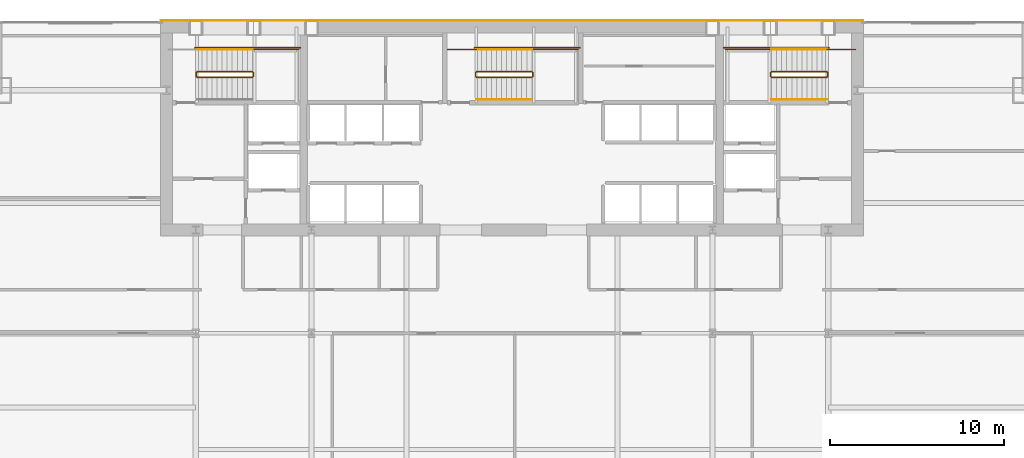
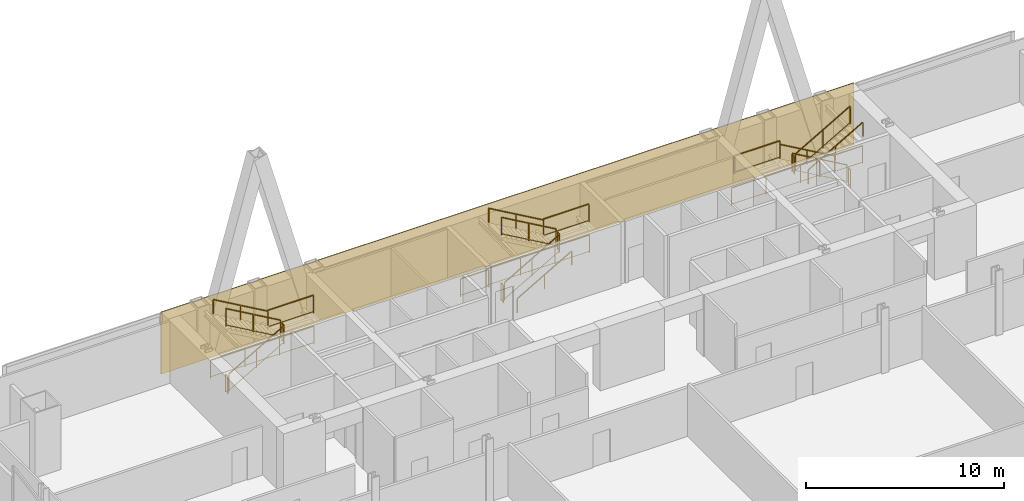
# One storey, part 32 of 32: 25 railings, 1 covering.
"""IFC4 building model written with IfcOpenShell, lengths in metres."""

from ifc_helpers import new_model, si_unit, direction, frame, origin, origin_2d, place, context, subcontext, project, spatial, polyline, rectangle, outline, extrude, material, layer, layer_set, type_object, element, save


model = new_model("IFC4")

# Units and contexts
model_context = context("Model", 3, precision=1e-05, world=origin(), true_north=direction((0.0, 1.0)))
body_context = subcontext(model_context, "Body", "Model", "MODEL_VIEW")
ifc_project = project(units=[si_unit("LENGTHUNIT", "METRE"), si_unit("AREAUNIT", "SQUARE_METRE"), si_unit("VOLUMEUNIT", "CUBIC_METRE"), si_unit("PLANEANGLEUNIT", "RADIAN"), si_unit("MASSUNIT", "GRAM", prefix="KILO")], contexts=[model_context])

# Site, building, storey
site_placement = place(None, origin())
site = spatial("IfcSite", under=ifc_project, at=site_placement, CompositionType="ELEMENT")
building_placement = place(site_placement, origin())
building = spatial("IfcBuilding", under=site, at=building_placement, Name="Khoronbel Lancet Exchange", CompositionType="ELEMENT")
storey_placement = place(building_placement, frame((0.0, 0.0, 94.60009765625)))
storey = spatial("IfcBuildingStorey", under=building, at=storey_placement, Name="L22", CompositionType="ELEMENT", Elevation=94.60009765625)

# Covering
ifc_material_1 = material(Name="Honed Egyptian Limestone & Bronze Rainscreen", Category="masonry")
ifc_layer = layer(ifc_material_1, 0.050048828125, Name="Honed Egyptian Limestone & Bronze Rainscreen")
ifc_layer_set = layer_set([ifc_layer], Name="Honed Egyptian Limestone & Bronze Rainscreen")
covering_type = type_object("IfcCoveringType", Name="COV-CLAD1", PredefinedType="CLADDING", material=ifc_layer_set)
covering_placement = place(storey_placement, origin())
element("IfcCovering", 1, at=covering_placement, inside=storey, type_object=covering_type, Name="Level L22 north rear-core stone and bronze rainscreen cladding", PredefinedType="CLADDING", context=body_context, shape_type="SweptSolid", body=[
    extrude(outline(polyline([(16.199951171875, 53.699951171875), (56.699951171875, 53.699951171875), (56.699951171875, 53.75), (16.199951171875, 53.75), (16.199951171875, 53.699951171875)])), origin(), (0.0, 0.0, 1.0), 3.81982421875),
])

# Railings
ifc_material_2 = material(Name="Painted Steel Balustrade", Category="steel")
railing_type_1 = type_object("IfcRailingType", Name="RL-STG110", PredefinedType="GUARDRAIL", material=ifc_material_2)
railing_1_placement = place(storey_placement, frame((18.300048828125, 50.449951171875, 0.16650390625)))
element("IfcRailing", 2, at=railing_1_placement, inside=storey, type_object=railing_type_1, Name="L22 ST1 stair guard 1", PredefinedType="GUARDRAIL", context=body_context, shape_type="SweptSolid", body=[
    extrude(rectangle(XDim=0.048095703125, YDim=0.048095703125, at=origin_2d()), frame((0.0, 0.0, 1.09619140625), z_axis=(0.86699087805, 0.0, 0.498324008431), x_axis=(0.0, 1.0, 0.0)), (0.0, 0.0, 1.0), 3.679443359375),
    extrude(rectangle(XDim=0.02392578125, YDim=0.02392578125, at=origin_2d()), frame((0.0, 0.0, 0.080078125), z_axis=(0.86699087805, 0.0, 0.498324008431), x_axis=(0.0, 1.0, 0.0)), (0.0, 0.0, 1.0), 3.679443359375),
    extrude(rectangle(XDim=0.0419921875, YDim=0.0419921875, at=origin_2d()), origin(), (0.0, 0.0, 1.0), 1.072021484375),
    extrude(rectangle(XDim=0.0419921875, YDim=0.0419921875, at=origin_2d()), frame((1.594970703125, 0.0, 0.916748046875)), (0.0, 0.0, 1.0), 1.072021484375),
    extrude(rectangle(XDim=0.0419921875, YDim=0.0419921875, at=origin_2d()), frame((3.18994140625, 0.0, 1.83349609375)), (0.0, 0.0, 1.0), 1.072021484375),
])
railing_2_placement = place(storey_placement, frame((21.5400390625, 50.5, 2.0)))
element("IfcRailing", 3, at=railing_2_placement, inside=storey, type_object=railing_type_1, Name="L22 ST1 stair guard 2", PredefinedType="GUARDRAIL", context=body_context, shape_type="SweptSolid", body=[
    extrude(rectangle(XDim=0.048095703125, YDim=0.048095703125, at=origin_2d()), frame((0.0, 0.0, 1.09619140625), z_axis=(0.0, 1.0, 0.0), x_axis=(-1.0, 0.0, 0.0)), (0.0, 0.0, 1.0), 0.219970703125),
    extrude(rectangle(XDim=0.02392578125, YDim=0.02392578125, at=origin_2d()), frame((0.0, 0.0, 0.080078125), z_axis=(0.0, 1.0, 0.0), x_axis=(-1.0, 0.0, 0.0)), (0.0, 0.0, 1.0), 0.219970703125),
    extrude(rectangle(XDim=0.0419921875, YDim=0.0419921875, at=origin_2d()), origin(), (0.0, 0.0, 1.0), 1.072021484375),
    extrude(rectangle(XDim=0.0419921875, YDim=0.0419921875, at=origin_2d()), frame((0.0, 0.219970703125, 0.0)), (0.0, 0.0, 1.0), 1.072021484375),
])
railing_3_placement = place(storey_placement, frame((21.489990234375, 52.050048828125, 2.0)))
element("IfcRailing", 4, at=railing_3_placement, inside=storey, type_object=railing_type_1, Name="L22 ST1 stair guard 3", PredefinedType="GUARDRAIL", context=body_context, shape_type="SweptSolid", body=[
    extrude(rectangle(XDim=0.048095703125, YDim=0.048095703125, at=origin_2d()), frame((0.0, 0.0, 1.09619140625), z_axis=(1.0, 0.0, 0.0), x_axis=(0.0, 1.0, 0.0)), (0.0, 0.0, 1.0), 2.659912109375),
    extrude(rectangle(XDim=0.02392578125, YDim=0.02392578125, at=origin_2d()), frame((0.0, 0.0, 0.080078125), z_axis=(1.0, 0.0, 0.0), x_axis=(0.0, 1.0, 0.0)), (0.0, 0.0, 1.0), 2.659912109375),
    extrude(rectangle(XDim=0.0419921875, YDim=0.0419921875, at=origin_2d()), origin(), (0.0, 0.0, 1.0), 1.072021484375),
    extrude(rectangle(XDim=0.0419921875, YDim=0.0419921875, at=origin_2d()), frame((2.659912109375, 0.0, 0.0)), (0.0, 0.0, 1.0), 1.072021484375),
])
railing_4_placement = place(storey_placement, frame((21.489990234375, 50.77001953125, 2.16650390625)))
element("IfcRailing", 5, at=railing_4_placement, inside=storey, type_object=railing_type_1, Name="L22 ST1 stair guard 4", PredefinedType="GUARDRAIL", context=body_context, shape_type="SweptSolid", body=[
    extrude(rectangle(XDim=0.048095703125, YDim=0.048095703125, at=origin_2d()), frame((0.0, 0.0, 1.09619140625), z_axis=(-0.86699087805, 0.0, 0.498324008431), x_axis=(0.0, -1.0, 0.0)), (0.0, 0.0, 1.0), 3.679443359375),
    extrude(rectangle(XDim=0.02392578125, YDim=0.02392578125, at=origin_2d()), frame((0.0, 0.0, 0.080078125), z_axis=(-0.86699087805, 0.0, 0.498324008431), x_axis=(0.0, -1.0, 0.0)), (0.0, 0.0, 1.0), 3.679443359375),
    extrude(rectangle(XDim=0.0419921875, YDim=0.0419921875, at=origin_2d()), origin(), (0.0, 0.0, 1.0), 1.072021484375),
    extrude(rectangle(XDim=0.0419921875, YDim=0.0419921875, at=origin_2d()), frame((-1.594970703125, 0.0, 0.916748046875)), (0.0, 0.0, 1.0), 1.072021484375),
    extrude(rectangle(XDim=0.0419921875, YDim=0.0419921875, at=origin_2d()), frame((-3.18994140625, 0.0, 1.83349609375)), (0.0, 0.0, 1.0), 1.072021484375),
])
railing_5_placement = place(storey_placement, frame((18.25, 50.5, 0.0)))
element("IfcRailing", 6, at=railing_5_placement, inside=storey, type_object=railing_type_1, Name="L22 ST1 stair guard 5", PredefinedType="GUARDRAIL", context=body_context, shape_type="SweptSolid", body=[
    extrude(rectangle(XDim=0.048095703125, YDim=0.048095703125, at=origin_2d()), frame((0.0, 0.0, 1.09619140625), z_axis=(0.0, 1.0, 0.0), x_axis=(-1.0, 0.0, 0.0)), (0.0, 0.0, 1.0), 0.219970703125),
    extrude(rectangle(XDim=0.02392578125, YDim=0.02392578125, at=origin_2d()), frame((0.0, 0.0, 0.080078125), z_axis=(0.0, 1.0, 0.0), x_axis=(-1.0, 0.0, 0.0)), (0.0, 0.0, 1.0), 0.219970703125),
    extrude(rectangle(XDim=0.0419921875, YDim=0.0419921875, at=origin_2d()), origin(), (0.0, 0.0, 1.0), 1.072021484375),
    extrude(rectangle(XDim=0.0419921875, YDim=0.0419921875, at=origin_2d()), frame((0.0, 0.219970703125, 0.0)), (0.0, 0.0, 1.0), 1.072021484375),
])
railing_6_placement = place(storey_placement, frame((18.199951171875, 52.14990234375, 0.0)))
element("IfcRailing", 7, at=railing_6_placement, inside=storey, type_object=railing_type_1, Name="L22 ST1 stair guard 7", PredefinedType="GUARDRAIL", context=body_context, shape_type="SweptSolid", body=[
    extrude(rectangle(XDim=0.048095703125, YDim=0.048095703125, at=origin_2d()), frame((0.0, 0.0, 1.09619140625), z_axis=(1.0, 0.0, 0.0), x_axis=(0.0, 1.0, 0.0)), (0.0, 0.0, 1.0), 6.050048828125),
    extrude(rectangle(XDim=0.02392578125, YDim=0.02392578125, at=origin_2d()), frame((0.0, 0.0, 0.080078125), z_axis=(1.0, 0.0, 0.0), x_axis=(0.0, 1.0, 0.0)), (0.0, 0.0, 1.0), 6.050048828125),
    extrude(rectangle(XDim=0.0419921875, YDim=0.0419921875, at=origin_2d()), origin(), (0.0, 0.0, 1.0), 1.072021484375),
    extrude(rectangle(XDim=0.0419921875, YDim=0.0419921875, at=origin_2d()), frame((2.0166015625, 0.0, 0.0)), (0.0, 0.0, 1.0), 1.072021484375),
    extrude(rectangle(XDim=0.0419921875, YDim=0.0419921875, at=origin_2d()), frame((4.033447265625, 0.0, 0.0)), (0.0, 0.0, 1.0), 1.072021484375),
    extrude(rectangle(XDim=0.0419921875, YDim=0.0419921875, at=origin_2d()), frame((6.050048828125, 0.0, 0.0)), (0.0, 0.0, 1.0), 1.072021484375),
])
railing_7_placement = place(storey_placement, frame((54.60009765625, 50.77001953125, 0.16650390625)))
element("IfcRailing", 8, at=railing_7_placement, inside=storey, type_object=railing_type_1, Name="L22 ST2 stair guard 1", PredefinedType="GUARDRAIL", context=body_context, shape_type="SweptSolid", body=[
    extrude(rectangle(XDim=0.048095703125, YDim=0.048095703125, at=origin_2d()), frame((0.0, 0.0, 1.09619140625), z_axis=(-0.867007354286, 0.0, 0.498295341753), x_axis=(0.0, -1.0, 0.0)), (0.0, 0.0, 1.0), 3.679443359375),
    extrude(rectangle(XDim=0.02392578125, YDim=0.02392578125, at=origin_2d()), frame((0.0, 0.0, 0.080078125), z_axis=(-0.867007354286, 0.0, 0.498295341753), x_axis=(0.0, -1.0, 0.0)), (0.0, 0.0, 1.0), 3.679443359375),
    extrude(rectangle(XDim=0.0419921875, YDim=0.0419921875, at=origin_2d()), origin(), (0.0, 0.0, 1.0), 1.072021484375),
    extrude(rectangle(XDim=0.0419921875, YDim=0.0419921875, at=origin_2d()), frame((-1.59521484375, 0.0, 0.916748046875)), (0.0, 0.0, 1.0), 1.072021484375),
    extrude(rectangle(XDim=0.0419921875, YDim=0.0419921875, at=origin_2d()), frame((-3.190185546875, 0.0, 1.83349609375)), (0.0, 0.0, 1.0), 1.072021484375),
])
railing_8_placement = place(storey_placement, frame((51.360107421875, 50.719970703125, 2.0)))
element("IfcRailing", 9, at=railing_8_placement, inside=storey, type_object=railing_type_1, Name="L22 ST2 stair guard 2", PredefinedType="GUARDRAIL", context=body_context, shape_type="SweptSolid", body=[
    extrude(rectangle(XDim=0.048095703125, YDim=0.048095703125, at=origin_2d()), frame((0.0, 0.0, 1.09619140625), z_axis=(0.0, -1.0, 0.0), x_axis=(1.0, 0.0, 0.0)), (0.0, 0.0, 1.0), 0.219970703125),
    extrude(rectangle(XDim=0.02392578125, YDim=0.02392578125, at=origin_2d()), frame((0.0, 0.0, 0.080078125), z_axis=(0.0, -1.0, 0.0), x_axis=(1.0, 0.0, 0.0)), (0.0, 0.0, 1.0), 0.219970703125),
    extrude(rectangle(XDim=0.0419921875, YDim=0.0419921875, at=origin_2d()), origin(), (0.0, 0.0, 1.0), 1.072021484375),
    extrude(rectangle(XDim=0.0419921875, YDim=0.0419921875, at=origin_2d()), frame((0.0, -0.219970703125, 0.0)), (0.0, 0.0, 1.0), 1.072021484375),
])
railing_9_placement = place(storey_placement, frame((51.409912109375, 52.050048828125, 2.0)))
element("IfcRailing", 10, at=railing_9_placement, inside=storey, type_object=railing_type_1, Name="L22 ST2 stair guard 3", PredefinedType="GUARDRAIL", context=body_context, shape_type="SweptSolid", body=[
    extrude(rectangle(XDim=0.048095703125, YDim=0.048095703125, at=origin_2d()), frame((0.0, 0.0, 1.09619140625), z_axis=(-1.0, 0.0, 0.0), x_axis=(0.0, -1.0, 0.0)), (0.0, 0.0, 1.0), 2.659912109375),
    extrude(rectangle(XDim=0.02392578125, YDim=0.02392578125, at=origin_2d()), frame((0.0, 0.0, 0.080078125), z_axis=(-1.0, 0.0, 0.0), x_axis=(0.0, -1.0, 0.0)), (0.0, 0.0, 1.0), 2.659912109375),
    extrude(rectangle(XDim=0.0419921875, YDim=0.0419921875, at=origin_2d()), origin(), (0.0, 0.0, 1.0), 1.072021484375),
    extrude(rectangle(XDim=0.0419921875, YDim=0.0419921875, at=origin_2d()), frame((-2.659912109375, 0.0, 0.0)), (0.0, 0.0, 1.0), 1.072021484375),
])
railing_10_placement = place(storey_placement, frame((51.409912109375, 50.449951171875, 2.16650390625)))
element("IfcRailing", 11, at=railing_10_placement, inside=storey, type_object=railing_type_1, Name="L22 ST2 stair guard 4", PredefinedType="GUARDRAIL", context=body_context, shape_type="SweptSolid", body=[
    extrude(rectangle(XDim=0.048095703125, YDim=0.048095703125, at=origin_2d()), frame((0.0, 0.0, 1.09619140625), z_axis=(0.867007354286, 0.0, 0.498295341753), x_axis=(0.0, 1.0, 0.0)), (0.0, 0.0, 1.0), 3.679443359375),
    extrude(rectangle(XDim=0.02392578125, YDim=0.02392578125, at=origin_2d()), frame((0.0, 0.0, 0.080078125), z_axis=(0.867007354286, 0.0, 0.498295341753), x_axis=(0.0, 1.0, 0.0)), (0.0, 0.0, 1.0), 3.679443359375),
    extrude(rectangle(XDim=0.0419921875, YDim=0.0419921875, at=origin_2d()), origin(), (0.0, 0.0, 1.0), 1.072021484375),
    extrude(rectangle(XDim=0.0419921875, YDim=0.0419921875, at=origin_2d()), frame((1.59521484375, 0.0, 0.916748046875)), (0.0, 0.0, 1.0), 1.072021484375),
    extrude(rectangle(XDim=0.0419921875, YDim=0.0419921875, at=origin_2d()), frame((3.190185546875, 0.0, 1.83349609375)), (0.0, 0.0, 1.0), 1.072021484375),
])
railing_11_placement = place(storey_placement, frame((54.64990234375, 50.719970703125, 0.0)))
element("IfcRailing", 12, at=railing_11_placement, inside=storey, type_object=railing_type_1, Name="L22 ST2 stair guard 5", PredefinedType="GUARDRAIL", context=body_context, shape_type="SweptSolid", body=[
    extrude(rectangle(XDim=0.048095703125, YDim=0.048095703125, at=origin_2d()), frame((0.0, 0.0, 1.09619140625), z_axis=(0.0, -1.0, 0.0), x_axis=(1.0, 0.0, 0.0)), (0.0, 0.0, 1.0), 0.219970703125),
    extrude(rectangle(XDim=0.02392578125, YDim=0.02392578125, at=origin_2d()), frame((0.0, 0.0, 0.080078125), z_axis=(0.0, -1.0, 0.0), x_axis=(1.0, 0.0, 0.0)), (0.0, 0.0, 1.0), 0.219970703125),
    extrude(rectangle(XDim=0.0419921875, YDim=0.0419921875, at=origin_2d()), origin(), (0.0, 0.0, 1.0), 1.072021484375),
    extrude(rectangle(XDim=0.0419921875, YDim=0.0419921875, at=origin_2d()), frame((0.0, -0.219970703125, 0.0)), (0.0, 0.0, 1.0), 1.072021484375),
])
railing_12_placement = place(storey_placement, frame((56.25, 52.050048828125, 0.0)))
element("IfcRailing", 13, at=railing_12_placement, inside=storey, type_object=railing_type_1, Name="L22 ST2 stair guard 6", PredefinedType="GUARDRAIL", context=body_context, shape_type="SweptSolid", body=[
    extrude(rectangle(XDim=0.048095703125, YDim=0.048095703125, at=origin_2d()), frame((0.0, 0.0, 1.09619140625), z_axis=(-1.0, 0.0, 0.0), x_axis=(0.0, -1.0, 0.0)), (0.0, 0.0, 1.0), 1.64990234375),
    extrude(rectangle(XDim=0.02392578125, YDim=0.02392578125, at=origin_2d()), frame((0.0, 0.0, 0.080078125), z_axis=(-1.0, 0.0, 0.0), x_axis=(0.0, -1.0, 0.0)), (0.0, 0.0, 1.0), 1.64990234375),
    extrude(rectangle(XDim=0.0419921875, YDim=0.0419921875, at=origin_2d()), origin(), (0.0, 0.0, 1.0), 1.072021484375),
    extrude(rectangle(XDim=0.0419921875, YDim=0.0419921875, at=origin_2d()), frame((-1.64990234375, 0.0, 0.0)), (0.0, 0.0, 1.0), 1.072021484375),
])
railing_13_placement = place(storey_placement, frame((54.699951171875, 52.14990234375, 0.0)))
element("IfcRailing", 14, at=railing_13_placement, inside=storey, type_object=railing_type_1, Name="L22 ST2 stair guard 7", PredefinedType="GUARDRAIL", context=body_context, shape_type="SweptSolid", body=[
    extrude(rectangle(XDim=0.048095703125, YDim=0.048095703125, at=origin_2d()), frame((0.0, 0.0, 1.09619140625), z_axis=(-1.0, 0.0, 0.0), x_axis=(0.0, -1.0, 0.0)), (0.0, 0.0, 1.0), 6.050048828125),
    extrude(rectangle(XDim=0.02392578125, YDim=0.02392578125, at=origin_2d()), frame((0.0, 0.0, 0.080078125), z_axis=(-1.0, 0.0, 0.0), x_axis=(0.0, -1.0, 0.0)), (0.0, 0.0, 1.0), 6.050048828125),
    extrude(rectangle(XDim=0.0419921875, YDim=0.0419921875, at=origin_2d()), origin(), (0.0, 0.0, 1.0), 1.072021484375),
    extrude(rectangle(XDim=0.0419921875, YDim=0.0419921875, at=origin_2d()), frame((-2.0166015625, 0.0, 0.0)), (0.0, 0.0, 1.0), 1.072021484375),
    extrude(rectangle(XDim=0.0419921875, YDim=0.0419921875, at=origin_2d()), frame((-4.033447265625, 0.0, 0.0)), (0.0, 0.0, 1.0), 1.072021484375),
    extrude(rectangle(XDim=0.0419921875, YDim=0.0419921875, at=origin_2d()), frame((-6.050048828125, 0.0, 0.0)), (0.0, 0.0, 1.0), 1.072021484375),
])
railing_14_placement = place(storey_placement, frame((34.39990234375, 50.449951171875, 0.16650390625)))
element("IfcRailing", 15, at=railing_14_placement, inside=storey, type_object=railing_type_1, Name="L22 ST3 stair guard 1", PredefinedType="GUARDRAIL", context=body_context, shape_type="SweptSolid", body=[
    extrude(rectangle(XDim=0.048095703125, YDim=0.048095703125, at=origin_2d()), frame((0.0, 0.0, 1.09619140625), z_axis=(0.867007354286, 0.0, 0.498295341753), x_axis=(0.0, 1.0, 0.0)), (0.0, 0.0, 1.0), 3.679443359375),
    extrude(rectangle(XDim=0.02392578125, YDim=0.02392578125, at=origin_2d()), frame((0.0, 0.0, 0.080078125), z_axis=(0.867007354286, 0.0, 0.498295341753), x_axis=(0.0, 1.0, 0.0)), (0.0, 0.0, 1.0), 3.679443359375),
    extrude(rectangle(XDim=0.0419921875, YDim=0.0419921875, at=origin_2d()), origin(), (0.0, 0.0, 1.0), 1.072021484375),
    extrude(rectangle(XDim=0.0419921875, YDim=0.0419921875, at=origin_2d()), frame((1.59521484375, 0.0, 0.916748046875)), (0.0, 0.0, 1.0), 1.072021484375),
    extrude(rectangle(XDim=0.0419921875, YDim=0.0419921875, at=origin_2d()), frame((3.190185546875, 0.0, 1.83349609375)), (0.0, 0.0, 1.0), 1.072021484375),
])
railing_15_placement = place(storey_placement, frame((37.639892578125, 50.5, 2.0)))
element("IfcRailing", 16, at=railing_15_placement, inside=storey, type_object=railing_type_1, Name="L22 ST3 stair guard 2", PredefinedType="GUARDRAIL", context=body_context, shape_type="SweptSolid", body=[
    extrude(rectangle(XDim=0.048095703125, YDim=0.048095703125, at=origin_2d()), frame((0.0, 0.0, 1.09619140625), z_axis=(0.0, 1.0, 0.0), x_axis=(-1.0, 0.0, 0.0)), (0.0, 0.0, 1.0), 0.219970703125),
    extrude(rectangle(XDim=0.02392578125, YDim=0.02392578125, at=origin_2d()), frame((0.0, 0.0, 0.080078125), z_axis=(0.0, 1.0, 0.0), x_axis=(-1.0, 0.0, 0.0)), (0.0, 0.0, 1.0), 0.219970703125),
    extrude(rectangle(XDim=0.0419921875, YDim=0.0419921875, at=origin_2d()), origin(), (0.0, 0.0, 1.0), 1.072021484375),
    extrude(rectangle(XDim=0.0419921875, YDim=0.0419921875, at=origin_2d()), frame((0.0, 0.219970703125, 0.0)), (0.0, 0.0, 1.0), 1.072021484375),
])
railing_16_placement = place(storey_placement, frame((37.590087890625, 52.050048828125, 2.0)))
element("IfcRailing", 17, at=railing_16_placement, inside=storey, type_object=railing_type_1, Name="L22 ST3 stair guard 3", PredefinedType="GUARDRAIL", context=body_context, shape_type="SweptSolid", body=[
    extrude(rectangle(XDim=0.048095703125, YDim=0.048095703125, at=origin_2d()), frame((0.0, 0.0, 1.09619140625), z_axis=(1.0, 0.0, 0.0), x_axis=(0.0, 1.0, 0.0)), (0.0, 0.0, 1.0), 2.659912109375),
    extrude(rectangle(XDim=0.02392578125, YDim=0.02392578125, at=origin_2d()), frame((0.0, 0.0, 0.080078125), z_axis=(1.0, 0.0, 0.0), x_axis=(0.0, 1.0, 0.0)), (0.0, 0.0, 1.0), 2.659912109375),
    extrude(rectangle(XDim=0.0419921875, YDim=0.0419921875, at=origin_2d()), origin(), (0.0, 0.0, 1.0), 1.072021484375),
    extrude(rectangle(XDim=0.0419921875, YDim=0.0419921875, at=origin_2d()), frame((2.659912109375, 0.0, 0.0)), (0.0, 0.0, 1.0), 1.072021484375),
])
railing_17_placement = place(storey_placement, frame((37.590087890625, 50.77001953125, 2.16650390625)))
element("IfcRailing", 18, at=railing_17_placement, inside=storey, type_object=railing_type_1, Name="L22 ST3 stair guard 4", PredefinedType="GUARDRAIL", context=body_context, shape_type="SweptSolid", body=[
    extrude(rectangle(XDim=0.048095703125, YDim=0.048095703125, at=origin_2d()), frame((0.0, 0.0, 1.09619140625), z_axis=(-0.867007354286, 0.0, 0.498295341753), x_axis=(0.0, -1.0, 0.0)), (0.0, 0.0, 1.0), 3.679443359375),
    extrude(rectangle(XDim=0.02392578125, YDim=0.02392578125, at=origin_2d()), frame((0.0, 0.0, 0.080078125), z_axis=(-0.867007354286, 0.0, 0.498295341753), x_axis=(0.0, -1.0, 0.0)), (0.0, 0.0, 1.0), 3.679443359375),
    extrude(rectangle(XDim=0.0419921875, YDim=0.0419921875, at=origin_2d()), origin(), (0.0, 0.0, 1.0), 1.072021484375),
    extrude(rectangle(XDim=0.0419921875, YDim=0.0419921875, at=origin_2d()), frame((-1.59521484375, 0.0, 0.916748046875)), (0.0, 0.0, 1.0), 1.072021484375),
    extrude(rectangle(XDim=0.0419921875, YDim=0.0419921875, at=origin_2d()), frame((-3.190185546875, 0.0, 1.83349609375)), (0.0, 0.0, 1.0), 1.072021484375),
])
railing_18_placement = place(storey_placement, frame((34.35009765625, 50.5, 0.0)))
element("IfcRailing", 19, at=railing_18_placement, inside=storey, type_object=railing_type_1, Name="L22 ST3 stair guard 5", PredefinedType="GUARDRAIL", context=body_context, shape_type="SweptSolid", body=[
    extrude(rectangle(XDim=0.048095703125, YDim=0.048095703125, at=origin_2d()), frame((0.0, 0.0, 1.09619140625), z_axis=(0.0, 1.0, 0.0), x_axis=(-1.0, 0.0, 0.0)), (0.0, 0.0, 1.0), 0.219970703125),
    extrude(rectangle(XDim=0.02392578125, YDim=0.02392578125, at=origin_2d()), frame((0.0, 0.0, 0.080078125), z_axis=(0.0, 1.0, 0.0), x_axis=(-1.0, 0.0, 0.0)), (0.0, 0.0, 1.0), 0.219970703125),
    extrude(rectangle(XDim=0.0419921875, YDim=0.0419921875, at=origin_2d()), origin(), (0.0, 0.0, 1.0), 1.072021484375),
    extrude(rectangle(XDim=0.0419921875, YDim=0.0419921875, at=origin_2d()), frame((0.0, 0.219970703125, 0.0)), (0.0, 0.0, 1.0), 1.072021484375),
])
railing_19_placement = place(storey_placement, frame((32.75, 52.050048828125, 0.0)))
element("IfcRailing", 20, at=railing_19_placement, inside=storey, type_object=railing_type_1, Name="L22 ST3 stair guard 6", PredefinedType="GUARDRAIL", context=body_context, shape_type="SweptSolid", body=[
    extrude(rectangle(XDim=0.048095703125, YDim=0.048095703125, at=origin_2d()), frame((0.0, 0.0, 1.09619140625), z_axis=(1.0, 0.0, 0.0), x_axis=(0.0, 1.0, 0.0)), (0.0, 0.0, 1.0), 1.64990234375),
    extrude(rectangle(XDim=0.02392578125, YDim=0.02392578125, at=origin_2d()), frame((0.0, 0.0, 0.080078125), z_axis=(1.0, 0.0, 0.0), x_axis=(0.0, 1.0, 0.0)), (0.0, 0.0, 1.0), 1.64990234375),
    extrude(rectangle(XDim=0.0419921875, YDim=0.0419921875, at=origin_2d()), origin(), (0.0, 0.0, 1.0), 1.072021484375),
    extrude(rectangle(XDim=0.0419921875, YDim=0.0419921875, at=origin_2d()), frame((1.64990234375, 0.0, 0.0)), (0.0, 0.0, 1.0), 1.072021484375),
])
railing_20_placement = place(storey_placement, frame((34.300048828125, 52.14990234375, 0.0)))
element("IfcRailing", 21, at=railing_20_placement, inside=storey, type_object=railing_type_1, Name="L22 ST3 stair guard 7", PredefinedType="GUARDRAIL", context=body_context, shape_type="SweptSolid", body=[
    extrude(rectangle(XDim=0.048095703125, YDim=0.048095703125, at=origin_2d()), frame((0.0, 0.0, 1.09619140625), z_axis=(1.0, 0.0, 0.0), x_axis=(0.0, 1.0, 0.0)), (0.0, 0.0, 1.0), 6.050048828125),
    extrude(rectangle(XDim=0.02392578125, YDim=0.02392578125, at=origin_2d()), frame((0.0, 0.0, 0.080078125), z_axis=(1.0, 0.0, 0.0), x_axis=(0.0, 1.0, 0.0)), (0.0, 0.0, 1.0), 6.050048828125),
    extrude(rectangle(XDim=0.0419921875, YDim=0.0419921875, at=origin_2d()), origin(), (0.0, 0.0, 1.0), 1.072021484375),
    extrude(rectangle(XDim=0.0419921875, YDim=0.0419921875, at=origin_2d()), frame((2.0166015625, 0.0, 0.0)), (0.0, 0.0, 1.0), 1.072021484375),
    extrude(rectangle(XDim=0.0419921875, YDim=0.0419921875, at=origin_2d()), frame((4.033447265625, 0.0, 0.0)), (0.0, 0.0, 1.0), 1.072021484375),
    extrude(rectangle(XDim=0.0419921875, YDim=0.0419921875, at=origin_2d()), frame((6.050048828125, 0.0, 0.0)), (0.0, 0.0, 1.0), 1.072021484375),
])
ifc_material_3 = material(Name="Brushed Stainless Steel 316", Category="steel")
railing_type_2 = type_object("IfcRailingType", Name="RL-STH92", PredefinedType="HANDRAIL", material=ifc_material_3)
railing_21_placement = place(storey_placement, frame((21.489990234375, 52.050048828125, 2.16650390625)))
element("IfcRailing", 22, at=railing_21_placement, inside=storey, type_object=railing_type_2, Name="L22 ST1 stair handrail 2", PredefinedType="HANDRAIL", context=body_context, shape_type="SweptSolid", body=[
    extrude(rectangle(XDim=0.048095703125, YDim=0.048095703125, at=origin_2d()), frame((0.0, 0.0, 0.8759765625), z_axis=(-0.86699087805, 0.0, 0.498324008431), x_axis=(0.0, -1.0, 0.0)), (0.0, 0.0, 1.0), 3.679443359375),
    extrude(rectangle(XDim=0.0419921875, YDim=0.0419921875, at=origin_2d()), origin(), (0.0, 0.0, 1.0), 0.851806640625),
    extrude(rectangle(XDim=0.0419921875, YDim=0.0419921875, at=origin_2d()), frame((-1.594970703125, 0.0, 0.916748046875)), (0.0, 0.0, 1.0), 0.851806640625),
    extrude(rectangle(XDim=0.0419921875, YDim=0.0419921875, at=origin_2d()), frame((-3.18994140625, 0.0, 1.83349609375)), (0.0, 0.0, 1.0), 0.851806640625),
])
railing_22_placement = place(storey_placement, frame((54.60009765625, 52.050048828125, 0.16650390625)))
element("IfcRailing", 23, at=railing_22_placement, inside=storey, type_object=railing_type_2, Name="L22 ST2 stair handrail 1", PredefinedType="HANDRAIL", context=body_context, shape_type="SweptSolid", body=[
    extrude(rectangle(XDim=0.048095703125, YDim=0.048095703125, at=origin_2d()), frame((0.0, 0.0, 0.8759765625), z_axis=(-0.867007354286, 0.0, 0.498295341753), x_axis=(0.0, -1.0, 0.0)), (0.0, 0.0, 1.0), 3.679443359375),
    extrude(rectangle(XDim=0.0419921875, YDim=0.0419921875, at=origin_2d()), origin(), (0.0, 0.0, 1.0), 0.851806640625),
    extrude(rectangle(XDim=0.0419921875, YDim=0.0419921875, at=origin_2d()), frame((-1.59521484375, 0.0, 0.916748046875)), (0.0, 0.0, 1.0), 0.851806640625),
    extrude(rectangle(XDim=0.0419921875, YDim=0.0419921875, at=origin_2d()), frame((-3.190185546875, 0.0, 1.83349609375)), (0.0, 0.0, 1.0), 0.851806640625),
])
for number, where, name in (
    (24, (51.409912109375, 49.169921875, 2.16650390625), "L22 ST2 stair handrail 2"),
    (25, (34.39990234375, 49.169921875, 0.16650390625), "L22 ST3 stair handrail 1"),
):
    element("IfcRailing", number, at=place(storey_placement, frame(where)), inside=storey, type_object=railing_type_2, Name=name, PredefinedType="HANDRAIL", context=body_context, shape_type="SweptSolid", body=[
        extrude(rectangle(XDim=0.048095703125, YDim=0.048095703125, at=origin_2d()), frame((0.0, 0.0, 0.8759765625), z_axis=(0.867007354286, 0.0, 0.498295341753), x_axis=(0.0, 1.0, 0.0)), (0.0, 0.0, 1.0), 3.679443359375),
        extrude(rectangle(XDim=0.0419921875, YDim=0.0419921875, at=origin_2d()), origin(), (0.0, 0.0, 1.0), 0.851806640625),
        extrude(rectangle(XDim=0.0419921875, YDim=0.0419921875, at=origin_2d()), frame((1.59521484375, 0.0, 0.916748046875)), (0.0, 0.0, 1.0), 0.851806640625),
        extrude(rectangle(XDim=0.0419921875, YDim=0.0419921875, at=origin_2d()), frame((3.190185546875, 0.0, 1.83349609375)), (0.0, 0.0, 1.0), 0.851806640625),
    ])
railing_23_placement = place(storey_placement, frame((37.590087890625, 52.050048828125, 2.16650390625)))
element("IfcRailing", 26, at=railing_23_placement, inside=storey, type_object=railing_type_2, Name="L22 ST3 stair handrail 2", PredefinedType="HANDRAIL", context=body_context, shape_type="SweptSolid", body=[
    extrude(rectangle(XDim=0.048095703125, YDim=0.048095703125, at=origin_2d()), frame((0.0, 0.0, 0.8759765625), z_axis=(-0.867007354286, 0.0, 0.498295341753), x_axis=(0.0, -1.0, 0.0)), (0.0, 0.0, 1.0), 3.679443359375),
    extrude(rectangle(XDim=0.0419921875, YDim=0.0419921875, at=origin_2d()), origin(), (0.0, 0.0, 1.0), 0.851806640625),
    extrude(rectangle(XDim=0.0419921875, YDim=0.0419921875, at=origin_2d()), frame((-1.59521484375, 0.0, 0.916748046875)), (0.0, 0.0, 1.0), 0.851806640625),
    extrude(rectangle(XDim=0.0419921875, YDim=0.0419921875, at=origin_2d()), frame((-3.190185546875, 0.0, 1.83349609375)), (0.0, 0.0, 1.0), 0.851806640625),
])

save(model, "model.ifc")
